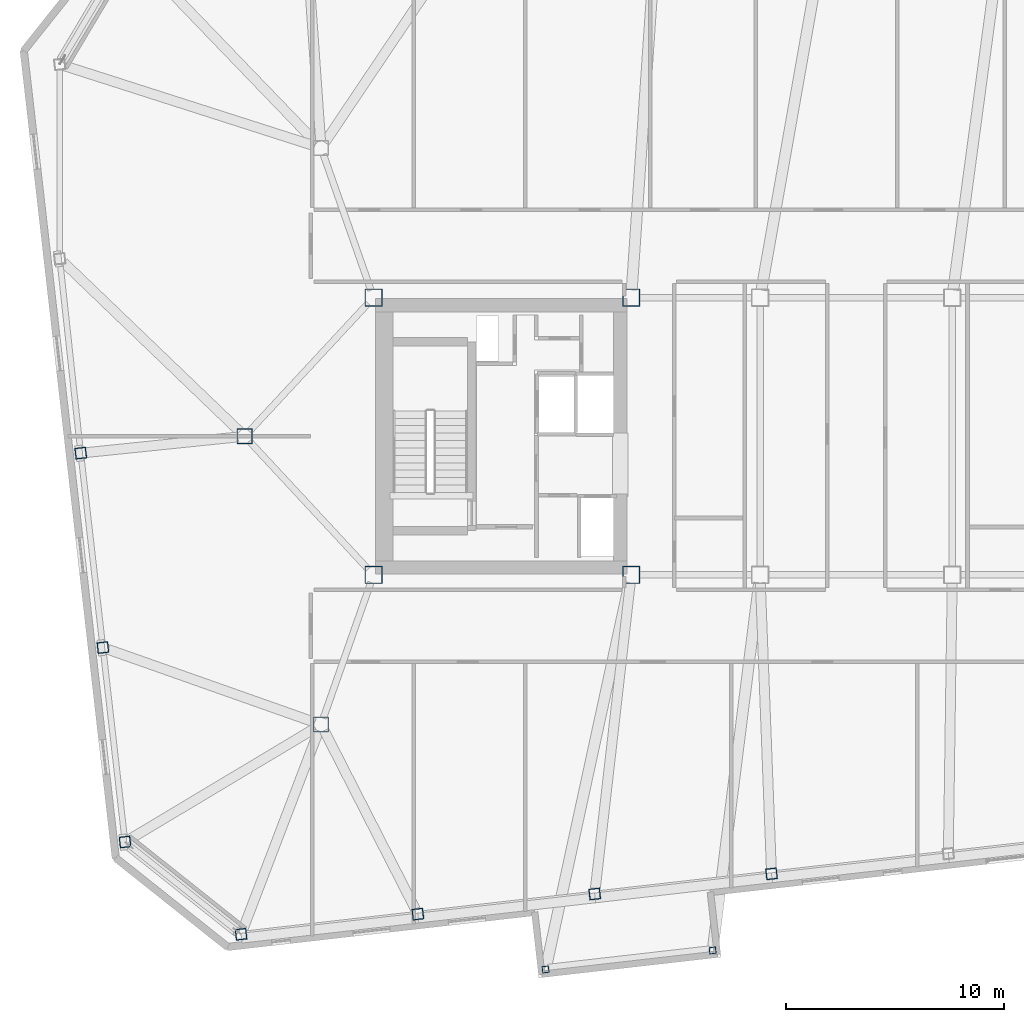
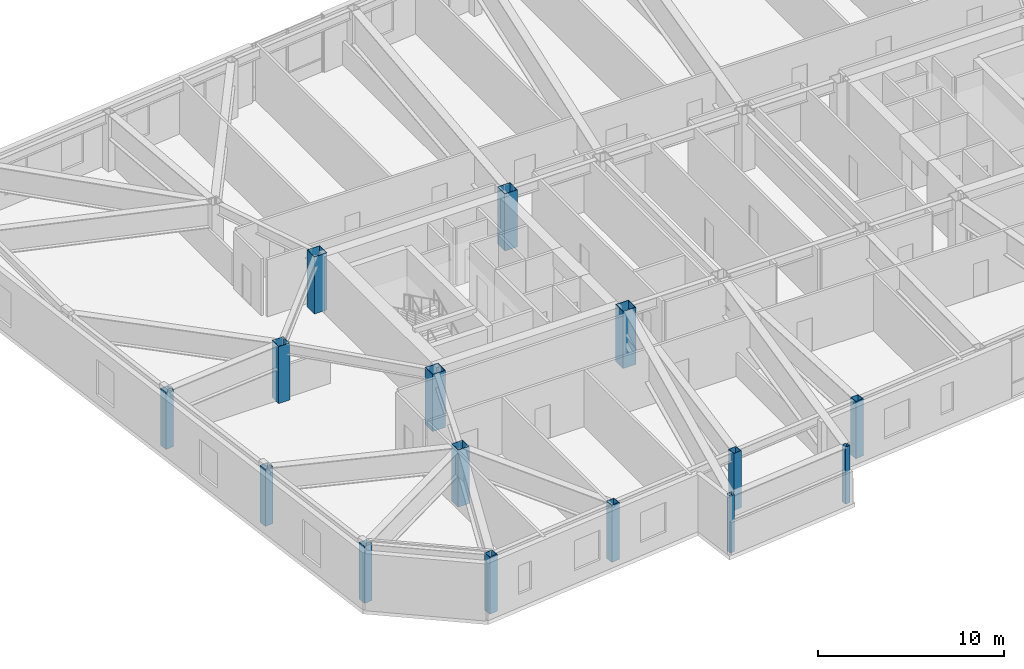
# One storey, part 1 of 18: 15 columns.
"""IFC4 building model written with IfcOpenShell, lengths in metres."""

from ifc_helpers import new_model, si_unit, direction, frame, origin, origin_2d, place, context, subcontext, project, spatial, hollow_rectangle, extrude, material, material_profile, profile_set, type_object, element, save


model = new_model("IFC4")

# Units and contexts
model_context = context("Model", 3, precision=1e-05, world=origin(), true_north=direction((0.0, 1.0)))
body_context = subcontext(model_context, "Body", "Model", "MODEL_VIEW")
ifc_project = project(units=[si_unit("LENGTHUNIT", "METRE"), si_unit("AREAUNIT", "SQUARE_METRE"), si_unit("VOLUMEUNIT", "CUBIC_METRE"), si_unit("PLANEANGLEUNIT", "RADIAN"), si_unit("MASSUNIT", "GRAM", prefix="KILO")], contexts=[model_context])

# Site, building, storey
site_placement = place(None, origin())
site = spatial("IfcSite", under=ifc_project, at=site_placement, CompositionType="ELEMENT")
building_placement = place(site_placement, origin())
building = spatial("IfcBuilding", under=site, at=building_placement, Name="Tavrogorsk Clinical Tower", CompositionType="ELEMENT")
storey_placement = place(building_placement, frame((0.0, 0.0, 222.199951171875)))
storey = spatial("IfcBuildingStorey", under=building, at=storey_placement, Name="L51", CompositionType="ELEMENT", Elevation=222.199951171875)

# Columns
ifc_material_1 = material(Name="Structural steel S390", Category="steel")
ifc_material_profile_1 = material_profile(ifc_material_1, hollow_rectangle(XDim=0.300048828125, YDim=0.300048828125, WallThickness=0.01611328125, at=origin_2d()), Name="SHS-300x300x16")
ifc_profile_set_1 = profile_set([ifc_material_profile_1], Name="Structural steel S390")
column_type_1 = type_object("IfcColumnType", Name="DayroomCol_SHS300", PredefinedType="COLUMN", material=ifc_profile_set_1)
for number, where, z_axis, x_axis, name in (
    (1, (-14.22265625, -24.41455078125, 0.0), (0.0, 0.0, 1.0), (0.993571855677, 0.113203213768, 0.0), "L51 Day-Room Box Column DRB-07-L"),
    (2, (-6.572021484375, -23.54296875, 0.0), (0.0, 0.0, 1.0), (0.993571855677, 0.113203213768, 0.0), "L51 Day-Room Box Column DRB-07-R"),
):
    element("IfcColumn", number, at=place(storey_placement, frame(where, z_axis=z_axis, x_axis=x_axis)), inside=storey, type_object=column_type_1, Name=name, PredefinedType="COLUMN", context=body_context, shape_type="SweptSolid", body=[
        extrude(hollow_rectangle(XDim=0.300048828125, YDim=0.300048828125, WallThickness=0.01611328125, at=origin_2d()), origin(), (0.0, 0.0, 1.0), 3.739990234375),
    ])
ifc_material_2 = material(Name="Structural steel S440", Category="steel")
ifc_material_profile_2 = material_profile(ifc_material_2, hollow_rectangle(XDim=0.699951171875, YDim=0.699951171875, WallThickness=0.031982421875, at=origin_2d()), Name="BOX-700x700x32")
ifc_profile_set_2 = profile_set([ifc_material_profile_2], Name="Structural steel S440")
column_type_2 = type_object("IfcColumnType", Name="MegaCol_BOX700", PredefinedType="COLUMN", material=ifc_profile_set_2)
for number, where, z_axis, x_axis, name in (
    (3, (-24.5, -13.199951171875, 0.0), (0.0, 0.0, 1.0), (1.0, 0.0, 0.0), "L51 Spine Pilotis Column MC-P1"),
    (4, (-28.0, 0.0, 0.0), (0.0, 0.0, 1.0), (1.0, 0.0, 0.0), "L51 Spine Pilotis Column MC-P5"),
):
    element("IfcColumn", number, at=place(storey_placement, frame(where, z_axis=z_axis, x_axis=x_axis)), inside=storey, type_object=column_type_2, Name=name, PredefinedType="COLUMN", context=body_context, shape_type="SweptSolid", body=[
        extrude(hollow_rectangle(XDim=0.699951171875, YDim=0.699951171875, WallThickness=0.031982421875, at=origin_2d()), origin(), (0.0, 0.0, 1.0), 3.739990234375),
    ])
ifc_material_3 = material(Name="Structural steel S440", Category="steel")
ifc_material_profile_3 = material_profile(ifc_material_3, hollow_rectangle(XDim=0.800048828125, YDim=0.800048828125, WallThickness=0.035888671875, at=origin_2d()), Name="BOX-800x800x36")
ifc_profile_set_3 = profile_set([ifc_material_profile_3], Name="Structural steel S440")
column_type_3 = type_object("IfcColumnType", Name="MegaCol_BOX800", PredefinedType="COLUMN", material=ifc_profile_set_3)
for number, where, z_axis, x_axis, name in (
    (5, (-22.10009765625, -6.35009765625, 0.0), (0.0, 0.0, 1.0), (1.0, 0.0, 0.0), "L51 Mega Column MC-W1"),
    (6, (-22.10009765625, 6.35009765625, 0.0), (0.0, 0.0, 1.0), (1.0, 0.0, 0.0), "L51 Mega Column MC-W2"),
    (7, (-10.300048828125, -6.35009765625, 0.0), (0.0, 0.0, 1.0), (1.0, 0.0, 0.0), "L51 Mega Column MC-W3"),
    (8, (-10.300048828125, 6.35009765625, 0.0), (0.0, 0.0, 1.0), (1.0, 0.0, 0.0), "L51 Mega Column MC-W4"),
):
    element("IfcColumn", number, at=place(storey_placement, frame(where, z_axis=z_axis, x_axis=x_axis)), inside=storey, type_object=column_type_3, Name=name, PredefinedType="COLUMN", context=body_context, shape_type="SweptSolid", body=[
        extrude(hollow_rectangle(XDim=0.800048828125, YDim=0.800048828125, WallThickness=0.035888671875, at=origin_2d()), origin(), (0.0, 0.0, 1.0), 3.739990234375),
    ])
ifc_material_4 = material(Name="Structural steel S440", Category="steel")
ifc_material_profile_4 = material_profile(ifc_material_4, hollow_rectangle(XDim=0.5, YDim=0.5, WallThickness=0.02490234375, at=origin_2d()), Name="BOX-500x500x25")
ifc_profile_set_4 = profile_set([ifc_material_profile_4], Name="Structural steel S440")
column_type_4 = type_object("IfcColumnType", Name="PerimCol_B4_BOX500", PredefinedType="COLUMN", material=ifc_profile_set_4)
for number, where, z_axis, x_axis, name in (
    (9, (-28.164794921875, -22.802490234375, 0.0), (0.0, 0.0, 1.0), (0.993571855677, 0.113203213768, 0.0), "L51 Perimeter Column S1"),
    (10, (-20.068603515625, -21.880126953125, 0.0), (0.0, 0.0, 1.0), (0.993571855677, 0.113203213768, 0.0), "L51 Perimeter Column S2"),
    (11, (-11.972412109375, -20.95751953125, 0.0), (0.0, 0.0, 1.0), (0.993571855677, 0.113203213768, 0.0), "L51 Perimeter Column S3"),
    (12, (-3.876220703125, -20.03515625, 0.0), (0.0, 0.0, 1.0), (0.993571855677, 0.113203213768, 0.0), "L51 Perimeter Column S4"),
    (13, (-35.505859375, -0.77197265625, 0.0), (0.0, 0.0, 1.0), (0.993571855677, 0.113203213768, 0.0), "L51 Perimeter Column W3"),
    (14, (-34.491455078125, -9.67431640625, 0.0), (0.0, 0.0, 1.0), (0.993571855677, 0.113203213768, 0.0), "L51 Perimeter Column W4"),
    (15, (-33.477294921875, -18.57666015625, 0.0), (0.0, 0.0, 1.0), (0.993571855677, 0.113203213768, 0.0), "L51 Perimeter Column W5"),
):
    element("IfcColumn", number, at=place(storey_placement, frame(where, z_axis=z_axis, x_axis=x_axis)), inside=storey, type_object=column_type_4, Name=name, PredefinedType="COLUMN", context=body_context, shape_type="SweptSolid", body=[
        extrude(hollow_rectangle(XDim=0.5, YDim=0.5, WallThickness=0.02490234375, at=origin_2d()), origin(), (0.0, 0.0, 1.0), 3.739990234375),
    ])

save(model, "model.ifc")
